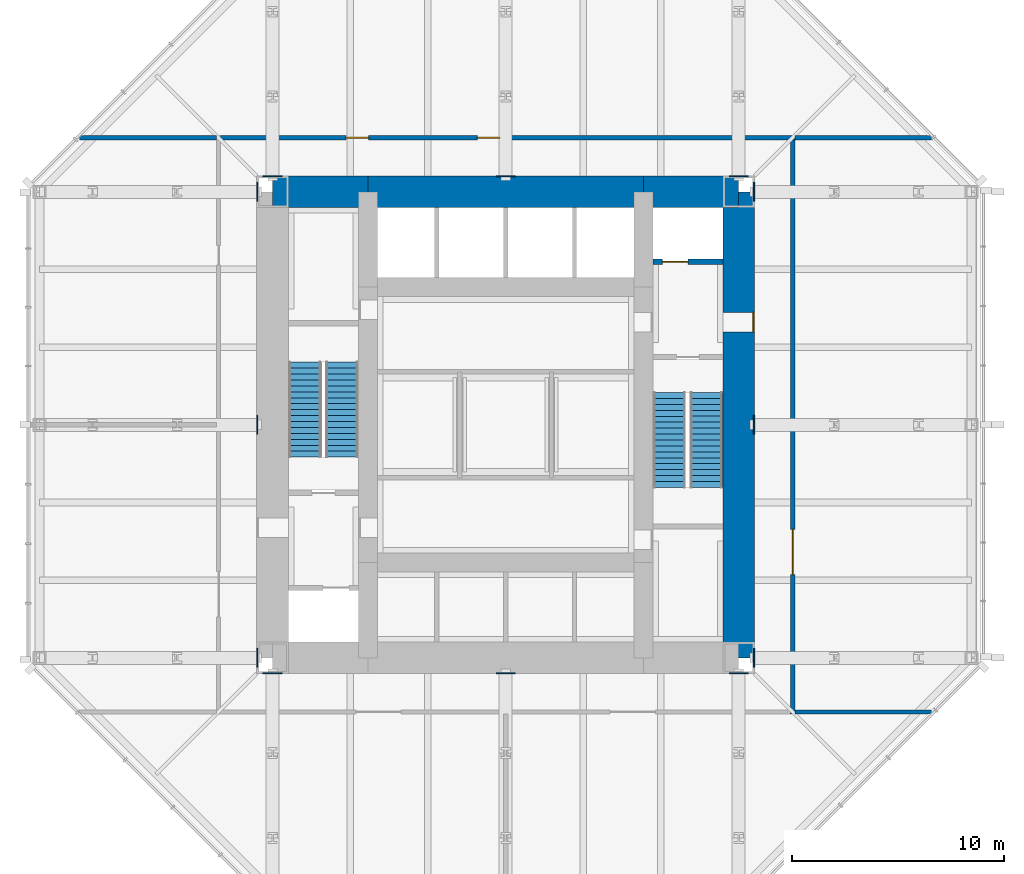
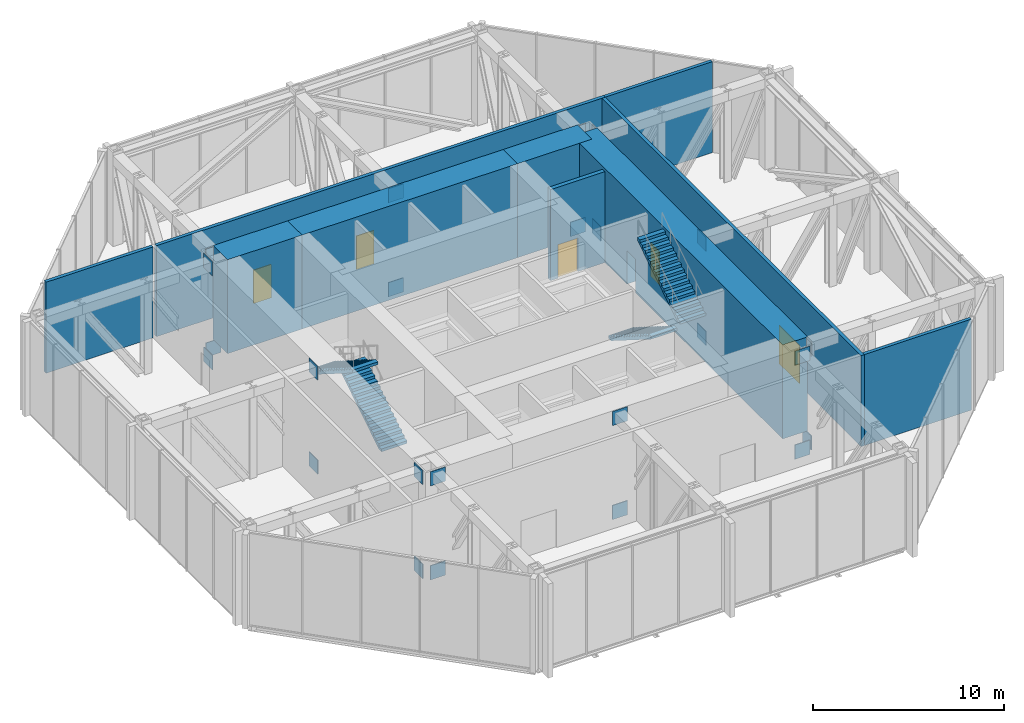
# One storey, part 10 of 11: 24 discrete accessories, 10 walls, 5 doors, 4 stair flights, 5 openings, 2 elements without a shape of their own.
"""IFC4 building model written with IfcOpenShell, lengths in metres."""

from ifc_helpers import new_model, si_unit, direction, frame, frame_2d, origin, origin_2d, place, context, subcontext, project, spatial, polyline, rectangle, outline, extrude, material, layer, layer_set, type_object, element, fill, aggregate, save


model = new_model("IFC4")

# Units and contexts
model_context = context("Model", 3, precision=1e-05, world=origin(), true_north=direction((0.0, 1.0)))
body_context = subcontext(model_context, "Body", "Model", "MODEL_VIEW")
ifc_project = project(units=[si_unit("LENGTHUNIT", "METRE"), si_unit("AREAUNIT", "SQUARE_METRE"), si_unit("VOLUMEUNIT", "CUBIC_METRE"), si_unit("PLANEANGLEUNIT", "RADIAN"), si_unit("MASSUNIT", "GRAM", prefix="KILO")], contexts=[model_context])

# Site, building, storey
site_placement = place(None, origin())
site = spatial("IfcSite", under=ifc_project, at=site_placement, CompositionType="ELEMENT")
building_placement = place(site_placement, origin())
building = spatial("IfcBuilding", under=site, at=building_placement, Name="Trevanion Tower", CompositionType="ELEMENT")
storey_placement = place(building_placement, frame((0.0, 0.0, 178.699951171875)))
storey = spatial("IfcBuildingStorey", under=building, at=storey_placement, Name="L42", CompositionType="ELEMENT", Elevation=178.699951171875)

# Wall, opening, door
ifc_material_1 = material(Name="Concrete 10,000 psi", Category="concrete")
ifc_layer_1 = layer(ifc_material_1, 1.5)
ifc_layer_set_1 = layer_set([ifc_layer_1], Name="CW1 core wall 1500")
wall_type_1 = type_object("IfcWallType", Name="CW1 core wall 1500", PredefinedType="SHEAR", material=ifc_layer_set_1)
wall_1_placement = place(storey_placement, frame((11.0, -11.0, 0.0), z_axis=(0.0, 0.0, 1.0), x_axis=(0.0, 1.0, 0.0)))
wall_1 = element("IfcWall", 1, at=wall_1_placement, inside=storey, type_object=wall_type_1, Name="CW1 CE L42", PredefinedType="SHEAR", context=body_context, shape_type="SweptSolid", body=[
    extrude(rectangle(XDim=22.0, YDim=1.5, at=frame_2d((11.0, 0.0))), origin(), (0.0, 0.0, 1.0), 6.0),
])
opening_1_placement = place(wall_1_placement, frame((15.392578125, 0.0, 0.0)))
opening_1 = element("IfcOpeningElement", 2, at=opening_1_placement, cuts=wall_1, Name="Opening 42-001", PredefinedType="OPENING", context=body_context, shape_type="SweptSolid", body=[
    extrude(rectangle(XDim=0.9150390625, YDim=2.134033203125, at=frame_2d((0.45751953125, 1.06689453125))), frame((0.0, 0.760009765625, 0.0), z_axis=(0.0, -1.0, 0.0), x_axis=(1.0, 0.0, 0.0)), (0.0, 0.0, 1.0), 1.52001953125),
])
ifc_material_2 = material(Name="Hollow metal, fire rated", Category="steel")
door_type_1 = type_object("IfcDoorType", Name="D3 fire lift lobby door", OperationType="SINGLE_SWING_RIGHT", PredefinedType="DOOR", material=ifc_material_2)
door_1_placement = place(opening_1_placement, origin())
door_1 = element("IfcDoor", 3, at=door_1_placement, inside=storey, type_object=door_type_1, Name="Door 42-001", OperationType="SINGLE_SWING_RIGHT", OverallHeight=2.134033203125, OverallWidth=0.9150390625, PredefinedType="DOOR", context=body_context, shape_type="SweptSolid", body=[
    extrude(rectangle(XDim=0.9150390625, YDim=2.134033203125, at=frame_2d((0.45751953125, 1.06689453125))), frame((0.0, -0.6748046875, 0.0), z_axis=(0.0, -1.0, 0.0), x_axis=(1.0, 0.0, 0.0)), (0.0, 0.0, 1.0), 0.050048828125),
])
fill(opening_1, door_1)

# Walls
wall_2_placement = place(storey_placement, frame((11.0, 11.0, 0.0), z_axis=(0.0, 0.0, 1.0), x_axis=(-1.0, 0.0, 0.0)))
element("IfcWall", 4, at=wall_2_placement, inside=storey, type_object=wall_type_1, Name="CW1 CN1 L42", PredefinedType="SHEAR", context=body_context, shape_type="SweptSolid", body=[
    extrude(rectangle(XDim=4.5, YDim=1.5, at=frame_2d((2.25, 0.0))), origin(), (0.0, 0.0, 1.0), 6.0),
])
wall_3_placement = place(storey_placement, frame((6.5, 11.0, 0.0), z_axis=(0.0, 0.0, 1.0), x_axis=(-1.0, 0.0, 0.0)))
element("IfcWall", 5, at=wall_3_placement, inside=storey, type_object=wall_type_1, Name="CW1 CN2 L42", PredefinedType="SHEAR", context=body_context, shape_type="SweptSolid", body=[
    extrude(rectangle(XDim=13.0, YDim=1.5, at=frame_2d((6.5, 0.0))), origin(), (0.0, 0.0, 1.0), 6.0),
])
wall_4_placement = place(storey_placement, frame((-6.5, 11.0, 0.0), z_axis=(0.0, 0.0, 1.0), x_axis=(-1.0, 0.0, 0.0)))
element("IfcWall", 6, at=wall_4_placement, inside=storey, type_object=wall_type_1, Name="CW1 CN3 L42", PredefinedType="SHEAR", context=body_context, shape_type="SweptSolid", body=[
    extrude(rectangle(XDim=4.5, YDim=1.5, at=frame_2d((2.25, 0.0))), origin(), (0.0, 0.0, 1.0), 6.0),
])

# Wall, opening, door
ifc_material_3 = material(Name="Concrete masonry, grouted", Category="masonry")
ifc_layer_2 = layer(ifc_material_3, 0.199951171875)
ifc_layer_set_2 = layer_set([ifc_layer_2], Name="PT2 partition 200 2 HR")
wall_type_2 = type_object("IfcWallType", Name="PT2 partition 200 2 HR", PredefinedType="PARTITIONING", material=ifc_layer_set_2)
wall_5_placement = place(storey_placement, frame((13.550048828125, -13.64990234375, 0.0), z_axis=(0.0, 0.0, 1.0), x_axis=(0.0, 1.0, 0.0)))
wall_5 = element("IfcWall", 7, at=wall_5_placement, inside=storey, type_object=wall_type_2, Name="PT2 L42 PW0", PredefinedType="PARTITIONING", context=body_context, shape_type="SweptSolid", body=[
    extrude(rectangle(XDim=27.099853515625, YDim=0.199951171875, at=frame_2d((13.5498046875, 0.0))), origin(), (0.0, 0.0, 1.0), 5.81005859375),
])
opening_2_placement = place(wall_5_placement, frame((6.5830078125, 0.0, 0.0)))
opening_2 = element("IfcOpeningElement", 8, at=opening_2_placement, cuts=wall_5, Name="Opening 42-013", PredefinedType="OPENING", context=body_context, shape_type="SweptSolid", body=[
    extrude(rectangle(XDim=2.134033203125, YDim=2.43798828125, at=frame_2d((1.06689453125, 1.218994140625))), frame((0.0, 0.10986328125, 0.0), z_axis=(0.0, -1.0, 0.0), x_axis=(1.0, 0.0, 0.0)), (0.0, 0.0, 1.0), 0.219970703125),
])
ifc_material_4 = material(Name="Hollow metal, fire rated", Category="steel")
door_type_2 = type_object("IfcDoorType", Name="D15 plant room equipment double door", OperationType="DOUBLE_DOOR_SINGLE_SWING", PredefinedType="DOOR", material=ifc_material_4)
door_2_placement = place(opening_2_placement, origin())
door_2 = element("IfcDoor", 9, at=door_2_placement, inside=storey, type_object=door_type_2, Name="Door 42-013", OperationType="DOUBLE_DOOR_SINGLE_SWING", OverallHeight=2.43798828125, OverallWidth=2.134033203125, PredefinedType="DOOR", context=body_context, shape_type="SweptSolid", body=[
    extrude(rectangle(XDim=2.134033203125, YDim=2.43798828125, at=frame_2d((1.06689453125, 1.218994140625))), frame((0.0, 0.02490234375, 0.0), z_axis=(0.0, -1.0, 0.0), x_axis=(1.0, 0.0, 0.0)), (0.0, 0.0, 1.0), 0.050048828125),
])
fill(opening_2, door_2)

# Wall, openings, doors
wall_6_placement = place(storey_placement, frame((13.64990234375, 13.550048828125, 0.0), z_axis=(0.0, 0.0, 1.0), x_axis=(-1.0, 0.0, 0.0)))
wall_6 = element("IfcWall", 10, at=wall_6_placement, inside=storey, type_object=wall_type_2, Name="PT2 L42 PW1", PredefinedType="PARTITIONING", context=body_context, shape_type="SweptSolid", body=[
    extrude(rectangle(XDim=27.099853515625, YDim=0.199951171875, at=frame_2d((13.5498046875, 0.0))), origin(), (0.0, 0.0, 1.0), 5.81005859375),
])
opening_3_placement = place(wall_6_placement, frame((13.91650390625, 0.0, 0.0)))
opening_3 = element("IfcOpeningElement", 11, at=opening_3_placement, cuts=wall_6, Name="Opening 42-011", PredefinedType="OPENING", context=body_context, shape_type="SweptSolid", body=[
    extrude(rectangle(XDim=1.06689453125, YDim=2.134033203125, at=frame_2d((0.533447265625, 1.06689453125))), frame((0.0, 0.10986328125, 0.0), z_axis=(0.0, -1.0, 0.0), x_axis=(1.0, 0.0, 0.0)), (0.0, 0.0, 1.0), 0.219970703125),
])
opening_4_placement = place(wall_6_placement, frame((20.116455078125, 0.0, 0.0)))
opening_4 = element("IfcOpeningElement", 12, at=opening_4_placement, cuts=wall_6, Name="Opening 42-012", PredefinedType="OPENING", context=body_context, shape_type="SweptSolid", body=[
    extrude(rectangle(XDim=1.06689453125, YDim=2.134033203125, at=frame_2d((0.533447265625, 1.06689453125))), frame((0.0, 0.10986328125, 0.0), z_axis=(0.0, -1.0, 0.0), x_axis=(1.0, 0.0, 0.0)), (0.0, 0.0, 1.0), 0.219970703125),
])
ifc_material_5 = material(Name="Hollow metal, fire rated", Category="steel")
door_type_3 = type_object("IfcDoorType", Name="D2 exit stair door", OperationType="SINGLE_SWING_LEFT", PredefinedType="DOOR", material=ifc_material_5)
door_3_placement = place(opening_3_placement, origin())
door_3 = element("IfcDoor", 13, at=door_3_placement, inside=storey, type_object=door_type_3, Name="Door 42-011", OperationType="SINGLE_SWING_LEFT", OverallHeight=2.134033203125, OverallWidth=1.06689453125, PredefinedType="DOOR", context=body_context, shape_type="SweptSolid", body=[
    extrude(rectangle(XDim=1.06689453125, YDim=2.134033203125, at=frame_2d((0.533447265625, 1.06689453125))), frame((0.0, 0.02490234375, 0.0), z_axis=(0.0, -1.0, 0.0), x_axis=(1.0, 0.0, 0.0)), (0.0, 0.0, 1.0), 0.050048828125),
])
fill(opening_3, door_3)
door_4_placement = place(opening_4_placement, origin())
door_4 = element("IfcDoor", 14, at=door_4_placement, inside=storey, type_object=door_type_3, Name="Door 42-012", OperationType="SINGLE_SWING_LEFT", OverallHeight=2.134033203125, OverallWidth=1.06689453125, PredefinedType="DOOR", context=body_context, shape_type="SweptSolid", body=[
    extrude(rectangle(XDim=1.06689453125, YDim=2.134033203125, at=frame_2d((0.533447265625, 1.06689453125))), frame((0.0, 0.02490234375, 0.0), z_axis=(0.0, -1.0, 0.0), x_axis=(1.0, 0.0, 0.0)), (0.0, 0.0, 1.0), 0.050048828125),
])
fill(opening_4, door_4)

# Walls
for number, where, z_axis, x_axis, name in (
    (15, (13.64990234375, 13.550048828125, 0.0), (0.0, 0.0, 1.0), (1.0, 0.0, 0.0), "PT2 L42 PBNE"),
    (16, (-13.64990234375, 13.550048828125, 0.0), (0.0, 0.0, 1.0), (-1.0, 0.0, 0.0), "PT2 L42 PBNW"),
    (17, (13.64990234375, -13.550048828125, 0.0), (0.0, 0.0, 1.0), (1.0, 0.0, 0.0), "PT2 L42 PBSE"),
):
    element("IfcWall", number, at=place(storey_placement, frame(where, z_axis=z_axis, x_axis=x_axis)), inside=storey, type_object=wall_type_2, Name=name, PredefinedType="PARTITIONING", context=body_context, shape_type="SweptSolid", body=[
        extrude(rectangle(XDim=6.463134765625, YDim=0.199951171875, at=frame_2d((3.2314453125, 0.0))), origin(), (0.0, 0.0, 1.0), 5.81005859375),
    ])

# Wall, opening, door
ifc_material_6 = material(Name="Concrete masonry, grouted, two-hour", Category="masonry")
ifc_layer_3 = layer(ifc_material_6, 0.25)
ifc_layer_set_3 = layer_set([ifc_layer_3], Name="PT3 partition 250 2 HR")
wall_type_3 = type_object("IfcWallType", Name="PT3 partition 250 2 HR", PredefinedType="PARTITIONING", material=ifc_layer_set_3)
wall_7_placement = place(storey_placement, frame((6.949951171875, 7.699951171875, 0.0), z_axis=(0.0, 0.0, 1.0), x_axis=(1.0, 0.0, 0.0)))
wall_7 = element("IfcWall", 18, at=wall_7_placement, inside=storey, type_object=wall_type_3, Name="PT3 L42 EP3", PredefinedType="PARTITIONING", context=body_context, shape_type="SweptSolid", body=[
    extrude(rectangle(XDim=3.300048828125, YDim=0.25, at=frame_2d((1.64990234375, 0.0))), origin(), (0.0, 0.0, 1.0), 5.81005859375),
])
opening_5_placement = place(wall_7_placement, frame((0.449951171875, 0.0, 0.0)))
opening_5 = element("IfcOpeningElement", 19, at=opening_5_placement, cuts=wall_7, Name="Opening 42-007", PredefinedType="OPENING", context=body_context, shape_type="SweptSolid", body=[
    extrude(rectangle(XDim=1.218994140625, YDim=2.134033203125, at=frame_2d((0.609375, 1.06689453125))), frame((0.0, 0.135009765625, 0.0), z_axis=(0.0, -1.0, 0.0), x_axis=(1.0, 0.0, 0.0)), (0.0, 0.0, 1.0), 0.27001953125),
])
ifc_material_7 = material(Name="Stainless steel, fire rated", Category="steel")
door_type_4 = type_object("IfcDoorType", Name="LD2 fire service lift landing door", OperationType="SLIDING_TO_LEFT", PredefinedType="DOOR", material=ifc_material_7)
door_5_placement = place(opening_5_placement, origin())
door_5 = element("IfcDoor", 20, at=door_5_placement, inside=storey, type_object=door_type_4, Name="Door 42-007", OperationType="SLIDING_TO_LEFT", OverallHeight=2.134033203125, OverallWidth=1.218994140625, PredefinedType="DOOR", context=body_context, shape_type="SweptSolid", body=[
    extrude(rectangle(XDim=1.218994140625, YDim=2.134033203125, at=frame_2d((0.609375, 1.06689453125))), frame((0.0, 0.02490234375, 0.0), z_axis=(0.0, -1.0, 0.0), x_axis=(1.0, 0.0, 0.0)), (0.0, 0.0, 1.0), 0.050048828125),
])
fill(opening_5, door_5)

# Stair, stair flights
ifc_material_8 = material(Name="Concrete 5,000 psi on steel stringers", Category="concrete")
stair_type = type_object("IfcStairType", Name="ST stair", PredefinedType="HALF_TURN_STAIR", material=ifc_material_8)
stair_1_placement = place(storey_placement, origin())
stair_1 = element("IfcStair", 21, at=stair_1_placement, inside=storey, type_object=stair_type, Name="ST1 L42", PredefinedType="HALF_TURN_STAIR")
ifc_material_9 = material(Name="Concrete 5,000 psi in steel pan", Category="concrete")
stair_flight_type = type_object("IfcStairFlightType", Name="STF stair flight", PredefinedType="STRAIGHT", material=ifc_material_9)
stair_flight_1_placement = place(storey_placement, frame((7.72509765625, 1.52490234375, 0.0), z_axis=(0.0, 0.0, 1.0), x_axis=(0.0, -1.0, 0.0)))
stair_flight_1 = element("IfcStairFlight", 22, at=stair_flight_1_placement, type_object=stair_flight_type, Name="ST1 flight 1", NumberOfRisers=17, NumberOfTreads=16, PredefinedType="STRAIGHT", RiserHeight=0.176470588, TreadLength=0.28, context=body_context, shape_type="SweptSolid", body=[
    extrude(outline(polyline([(0.0, 0.0), (0.0, 0.176513671875), (0.280029296875, 0.176513671875), (0.280029296875, 0.35302734375), (0.56005859375, 0.35302734375), (0.56005859375, 0.529296875), (0.840087890625, 0.529296875), (0.840087890625, 0.705810546875), (1.1201171875, 0.705810546875), (1.1201171875, 0.88232421875), (1.39990234375, 0.88232421875), (1.39990234375, 1.058837890625), (1.679931640625, 1.058837890625), (1.679931640625, 1.2353515625), (1.9599609375, 1.2353515625), (1.9599609375, 1.411865234375), (2.239990234375, 1.411865234375), (2.239990234375, 1.588134765625), (2.52001953125, 1.588134765625), (2.52001953125, 1.7646484375), (2.800048828125, 1.7646484375), (2.800048828125, 1.941162109375), (3.080078125, 1.941162109375), (3.080078125, 2.11767578125), (3.360107421875, 2.11767578125), (3.360107421875, 2.294189453125), (3.639892578125, 2.294189453125), (3.639892578125, 2.470703125), (3.919921875, 2.470703125), (3.919921875, 2.64697265625), (4.199951171875, 2.64697265625), (4.199951171875, 2.823486328125), (4.47998046875, 2.823486328125), (4.47998046875, 3.0), (4.47998046875, 2.646240234375), (0.28125, 0.0), (0.0, 0.0)])), frame((0.0, 0.77490234375, 0.0), z_axis=(0.0, -1.0, 0.0), x_axis=(1.0, 0.0, 0.0)), (0.0, 0.0, 1.0), 1.550048828125),
])
stair_flight_2_placement = place(storey_placement, frame((9.47509765625, -2.955078125, 3.0), z_axis=(0.0, 0.0, 1.0), x_axis=(0.0, 1.0, 0.0)))
stair_flight_2 = element("IfcStairFlight", 23, at=stair_flight_2_placement, type_object=stair_flight_type, Name="ST1 flight 2", NumberOfRisers=17, NumberOfTreads=16, PredefinedType="STRAIGHT", RiserHeight=0.176470588, TreadLength=0.28, context=body_context, shape_type="SweptSolid", body=[
    extrude(outline(polyline([(0.0, 0.0), (0.0, 0.176513671875), (0.280029296875, 0.176513671875), (0.280029296875, 0.35302734375), (0.56005859375, 0.35302734375), (0.56005859375, 0.529296875), (0.840087890625, 0.529296875), (0.840087890625, 0.705810546875), (1.1201171875, 0.705810546875), (1.1201171875, 0.88232421875), (1.39990234375, 0.88232421875), (1.39990234375, 1.058837890625), (1.679931640625, 1.058837890625), (1.679931640625, 1.2353515625), (1.9599609375, 1.2353515625), (1.9599609375, 1.411865234375), (2.239990234375, 1.411865234375), (2.239990234375, 1.588134765625), (2.52001953125, 1.588134765625), (2.52001953125, 1.7646484375), (2.800048828125, 1.7646484375), (2.800048828125, 1.941162109375), (3.080078125, 1.941162109375), (3.080078125, 2.11767578125), (3.360107421875, 2.11767578125), (3.360107421875, 2.294189453125), (3.639892578125, 2.294189453125), (3.639892578125, 2.470703125), (3.919921875, 2.470703125), (3.919921875, 2.64697265625), (4.199951171875, 2.64697265625), (4.199951171875, 2.823486328125), (4.47998046875, 2.823486328125), (4.47998046875, 3.0), (4.47998046875, 2.646240234375), (0.28125, 0.0), (0.0, 0.0)])), frame((0.0, 0.77490234375, 0.0), z_axis=(0.0, -1.0, 0.0), x_axis=(1.0, 0.0, 0.0)), (0.0, 0.0, 1.0), 1.550048828125),
])
aggregate(stair_1, [stair_flight_1, stair_flight_2])

stair_2_placement = place(storey_placement, origin())
stair_2 = element("IfcStair", 24, at=stair_2_placement, inside=storey, type_object=stair_type, Name="ST2 L42", PredefinedType="HALF_TURN_STAIR")
stair_flight_3_placement = place(storey_placement, frame((-7.72509765625, -1.52490234375, 0.0), z_axis=(0.0, 0.0, 1.0), x_axis=(0.0, 1.0, 0.0)))
stair_flight_3 = element("IfcStairFlight", 25, at=stair_flight_3_placement, type_object=stair_flight_type, Name="ST2 flight 1", NumberOfRisers=17, NumberOfTreads=16, PredefinedType="STRAIGHT", RiserHeight=0.176470588, TreadLength=0.28, context=body_context, shape_type="SweptSolid", body=[
    extrude(outline(polyline([(0.0, 0.0), (0.0, 0.176513671875), (0.280029296875, 0.176513671875), (0.280029296875, 0.35302734375), (0.56005859375, 0.35302734375), (0.56005859375, 0.529296875), (0.840087890625, 0.529296875), (0.840087890625, 0.705810546875), (1.1201171875, 0.705810546875), (1.1201171875, 0.88232421875), (1.39990234375, 0.88232421875), (1.39990234375, 1.058837890625), (1.679931640625, 1.058837890625), (1.679931640625, 1.2353515625), (1.9599609375, 1.2353515625), (1.9599609375, 1.411865234375), (2.239990234375, 1.411865234375), (2.239990234375, 1.588134765625), (2.52001953125, 1.588134765625), (2.52001953125, 1.7646484375), (2.800048828125, 1.7646484375), (2.800048828125, 1.941162109375), (3.080078125, 1.941162109375), (3.080078125, 2.11767578125), (3.360107421875, 2.11767578125), (3.360107421875, 2.294189453125), (3.639892578125, 2.294189453125), (3.639892578125, 2.470703125), (3.919921875, 2.470703125), (3.919921875, 2.64697265625), (4.199951171875, 2.64697265625), (4.199951171875, 2.823486328125), (4.47998046875, 2.823486328125), (4.47998046875, 3.0), (4.47998046875, 2.646240234375), (0.28125, 0.0), (0.0, 0.0)])), frame((0.0, 0.77490234375, 0.0), z_axis=(0.0, -1.0, 0.0), x_axis=(1.0, 0.0, 0.0)), (0.0, 0.0, 1.0), 1.550048828125),
])
stair_flight_4_placement = place(storey_placement, frame((-9.47509765625, 2.955078125, 3.0), z_axis=(0.0, 0.0, 1.0), x_axis=(0.0, -1.0, 0.0)))
stair_flight_4 = element("IfcStairFlight", 26, at=stair_flight_4_placement, type_object=stair_flight_type, Name="ST2 flight 2", NumberOfRisers=17, NumberOfTreads=16, PredefinedType="STRAIGHT", RiserHeight=0.176470588, TreadLength=0.28, context=body_context, shape_type="SweptSolid", body=[
    extrude(outline(polyline([(0.0, 0.0), (0.0, 0.176513671875), (0.280029296875, 0.176513671875), (0.280029296875, 0.35302734375), (0.56005859375, 0.35302734375), (0.56005859375, 0.529296875), (0.840087890625, 0.529296875), (0.840087890625, 0.705810546875), (1.1201171875, 0.705810546875), (1.1201171875, 0.88232421875), (1.39990234375, 0.88232421875), (1.39990234375, 1.058837890625), (1.679931640625, 1.058837890625), (1.679931640625, 1.2353515625), (1.9599609375, 1.2353515625), (1.9599609375, 1.411865234375), (2.239990234375, 1.411865234375), (2.239990234375, 1.588134765625), (2.52001953125, 1.588134765625), (2.52001953125, 1.7646484375), (2.800048828125, 1.7646484375), (2.800048828125, 1.941162109375), (3.080078125, 1.941162109375), (3.080078125, 2.11767578125), (3.360107421875, 2.11767578125), (3.360107421875, 2.294189453125), (3.639892578125, 2.294189453125), (3.639892578125, 2.470703125), (3.919921875, 2.470703125), (3.919921875, 2.64697265625), (4.199951171875, 2.64697265625), (4.199951171875, 2.823486328125), (4.47998046875, 2.823486328125), (4.47998046875, 3.0), (4.47998046875, 2.646240234375), (0.28125, 0.0), (0.0, 0.0)])), frame((0.0, 0.77490234375, 0.0), z_axis=(0.0, -1.0, 0.0), x_axis=(1.0, 0.0, 0.0)), (0.0, 0.0, 1.0), 1.550048828125),
])
aggregate(stair_2, [stair_flight_3, stair_flight_4])

# Discrete accessories
ifc_material_10 = material(Name="Steel ASTM A572 Grade 50", Category="steel")
discrete_accessory_type = type_object("IfcDiscreteAccessoryType", Name="OT2 cast-in plate 50", PredefinedType="ANCHORPLATE", material=ifc_material_10)
for number, where, z_axis, x_axis, name in (
    (27, (11.72509765625, -11.0, -0.94970703125), (0.0, 0.0, 1.0), (1.0, 0.0, 0.0), "OT2 16/F cast-in plate in the core wall, bottom chord node"),
    (28, (11.72509765625, -11.0, 5.05029296875), (0.0, 0.0, 1.0), (1.0, 0.0, 0.0), "OT2 16/F cast-in plate in the core wall, top chord node"),
    (29, (11.0, 11.72509765625, -0.94970703125), (0.0, 0.0, 1.0), (0.0, 1.0, 0.0), "OT2 12/P cast-in plate in the core wall, bottom chord node"),
    (30, (11.0, 11.72509765625, 5.05029296875), (0.0, 0.0, 1.0), (0.0, 1.0, 0.0), "OT2 12/P cast-in plate in the core wall, top chord node"),
    (31, (-11.72509765625, 11.0, -0.94970703125), (0.0, 0.0, 1.0), (-1.0, 0.0, 0.0), "OT2 4/K cast-in plate in the core wall, bottom chord node"),
    (32, (-11.72509765625, 11.0, 5.05029296875), (0.0, 0.0, 1.0), (-1.0, 0.0, 0.0), "OT2 4/K cast-in plate in the core wall, top chord node"),
    (33, (-11.0, -11.72509765625, -0.94970703125), (0.0, 0.0, 1.0), (0.0, -1.0, 0.0), "OT2 8/B cast-in plate in the core wall, bottom chord node"),
    (34, (-11.0, -11.72509765625, 5.05029296875), (0.0, 0.0, 1.0), (0.0, -1.0, 0.0), "OT2 8/B cast-in plate in the core wall, top chord node"),
    (35, (11.72509765625, 0.0, -0.94970703125), (0.0, 0.0, 1.0), (1.0, 0.0, 0.0), "OT2 16/H cast-in plate in the core wall, bottom chord node"),
    (36, (11.72509765625, 0.0, 5.05029296875), (0.0, 0.0, 1.0), (1.0, 0.0, 0.0), "OT2 16/H cast-in plate in the core wall, top chord node"),
    (37, (0.0, 11.72509765625, -0.94970703125), (0.0, 0.0, 1.0), (0.0, 1.0, 0.0), "OT2 10/P cast-in plate in the core wall, bottom chord node"),
    (38, (0.0, 11.72509765625, 5.05029296875), (0.0, 0.0, 1.0), (0.0, 1.0, 0.0), "OT2 10/P cast-in plate in the core wall, top chord node"),
    (39, (-11.72509765625, 0.0, -0.94970703125), (0.0, 0.0, 1.0), (-1.0, 0.0, 0.0), "OT2 4/H cast-in plate in the core wall, bottom chord node"),
    (40, (-11.72509765625, 0.0, 5.05029296875), (0.0, 0.0, 1.0), (-1.0, 0.0, 0.0), "OT2 4/H cast-in plate in the core wall, top chord node"),
    (41, (0.0, -11.72509765625, -0.94970703125), (0.0, 0.0, 1.0), (0.0, -1.0, 0.0), "OT2 10/B cast-in plate in the core wall, bottom chord node"),
    (42, (0.0, -11.72509765625, 5.05029296875), (0.0, 0.0, 1.0), (0.0, -1.0, 0.0), "OT2 10/B cast-in plate in the core wall, top chord node"),
    (43, (11.72509765625, 11.0, -0.94970703125), (0.0, 0.0, 1.0), (1.0, 0.0, 0.0), "OT2 16/K cast-in plate in the core wall, bottom chord node"),
    (44, (11.72509765625, 11.0, 5.05029296875), (0.0, 0.0, 1.0), (1.0, 0.0, 0.0), "OT2 16/K cast-in plate in the core wall, top chord node"),
    (45, (-11.0, 11.72509765625, -0.94970703125), (0.0, 0.0, 1.0), (0.0, 1.0, 0.0), "OT2 8/P cast-in plate in the core wall, bottom chord node"),
    (46, (-11.0, 11.72509765625, 5.05029296875), (0.0, 0.0, 1.0), (0.0, 1.0, 0.0), "OT2 8/P cast-in plate in the core wall, top chord node"),
    (47, (-11.72509765625, -11.0, -0.94970703125), (0.0, 0.0, 1.0), (-1.0, 0.0, 0.0), "OT2 4/F cast-in plate in the core wall, bottom chord node"),
    (48, (-11.72509765625, -11.0, 5.05029296875), (0.0, 0.0, 1.0), (-1.0, 0.0, 0.0), "OT2 4/F cast-in plate in the core wall, top chord node"),
    (49, (11.0, -11.72509765625, -0.94970703125), (0.0, 0.0, 1.0), (0.0, -1.0, 0.0), "OT2 12/B cast-in plate in the core wall, bottom chord node"),
    (50, (11.0, -11.72509765625, 5.05029296875), (0.0, 0.0, 1.0), (0.0, -1.0, 0.0), "OT2 12/B cast-in plate in the core wall, top chord node"),
):
    element("IfcDiscreteAccessory", number, at=place(storey_placement, frame(where, z_axis=z_axis, x_axis=x_axis)), inside=storey, type_object=discrete_accessory_type, Name=name, PredefinedType="ANCHORPLATE", context=body_context, shape_type="SweptSolid", body=[
        extrude(rectangle(XDim=0.050048828125, YDim=0.90966796875, at=origin_2d()), origin(), (0.0, 0.0, 1.0), 0.90966796875),
    ])

save(model, "model.ifc")
